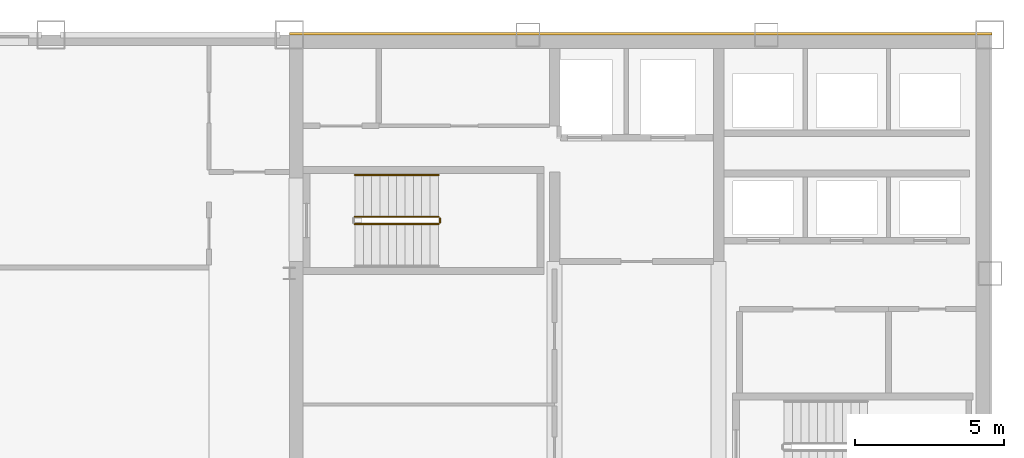
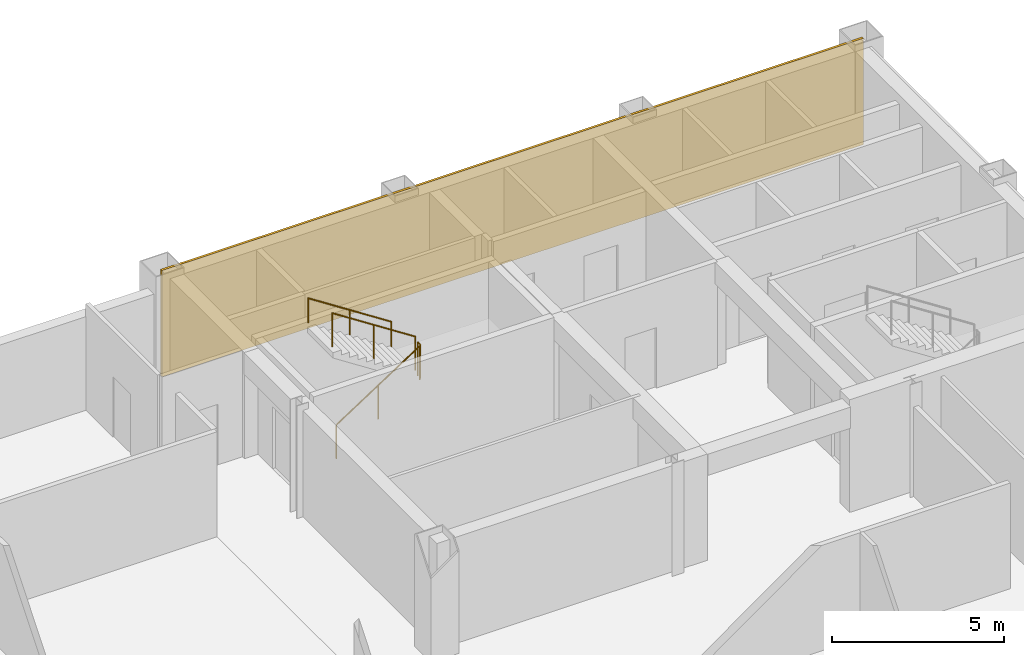
# One storey, part 10 of 10: 4 railings, 1 covering.
"""IFC4 building model written with IfcOpenShell, lengths in metres."""

from ifc_helpers import new_model, si_unit, direction, frame, origin, origin_2d, place, context, subcontext, project, spatial, rectangle, circle, extrude, material, layer, layer_set, type_object, element, save


model = new_model("IFC4")

# Units and contexts
model_context = context("Model", 3, precision=1e-05, world=origin(), true_north=direction((0.0, 1.0)))
body_context = subcontext(model_context, "Body", "Model", "MODEL_VIEW")
ifc_project = project(units=[si_unit("LENGTHUNIT", "METRE"), si_unit("AREAUNIT", "SQUARE_METRE"), si_unit("VOLUMEUNIT", "CUBIC_METRE"), si_unit("PLANEANGLEUNIT", "RADIAN"), si_unit("MASSUNIT", "GRAM", prefix="KILO")], contexts=[model_context])

# Site, building, storey
site_placement = place(None, origin())
site = spatial("IfcSite", under=ifc_project, at=site_placement, CompositionType="ELEMENT")
building_placement = place(site_placement, origin())
building = spatial("IfcBuilding", under=site, at=building_placement, Name="Qianrong Seaharbour Tower", CompositionType="ELEMENT")
storey_placement = place(building_placement, frame((0.0, 0.0, 245.800048828125)))
storey = spatial("IfcBuildingStorey", under=building, at=storey_placement, Name="L59", CompositionType="ELEMENT", Elevation=245.800048828125)

# Covering
ifc_material_1 = material(Name="Unitised red brick cladding on Precast concrete C45/55", Category="masonry")
ifc_layer = layer(ifc_material_1, 0.080078125)
ifc_layer_set = layer_set([ifc_layer], Name="Unitised red brick cladding on Precast concrete C45/55")
covering_type = type_object("IfcCoveringType", Name="COV-CLAD-RED-BRICK-80", PredefinedType="CLADDING", material=ifc_layer_set)
covering_placement = place(storey_placement, frame((52.2900390625, 52.0400390625, 0.0), z_axis=(0.0, 0.0, 1.0), x_axis=(1.0, 0.0, 0.0)))
element("IfcCovering", 1, at=covering_placement, inside=storey, type_object=covering_type, Name="L59 North Core Brick Veneer Cladding", PredefinedType="CLADDING", context=body_context, shape_type="SweptSolid", body=[
    extrude(rectangle(XDim=23.580078125, YDim=0.080078125, at=origin_2d()), origin(), (0.0, 0.0, 1.0), 3.77490234375),
])

# Railings
ifc_material_2 = material(Name="Galvanized painted steel SN400B stair guard", Category="steel")
railing_type_1 = type_object("IfcRailingType", Name="RAIL-STAIR-GUARD-1220", PredefinedType="GUARDRAIL", material=ifc_material_2)
railing_1_placement = place(storey_placement, frame((42.699951171875, 45.64990234375, 0.181884765625)))
element("IfcRailing", 2, at=railing_1_placement, inside=storey, type_object=railing_type_1, Name="L59 ST-1 stair guard 1", PredefinedType="GUARDRAIL", context=body_context, shape_type="SweptSolid", body=[
    extrude(circle(Radius=0.02392578125, at=origin_2d()), frame((0.0, 0.0, 1.19580078125), z_axis=(0.838705829183, 0.0, 0.544584733623), x_axis=(0.0, 1.0, 0.0)), (0.0, 0.0, 1.0), 3.338623046875),
    extrude(circle(Radius=0.02099609375, at=origin_2d()), origin(), (0.0, 0.0, 1.0), 1.171875),
    extrude(circle(Radius=0.02099609375, at=origin_2d()), frame((1.39990234375, 0.0, 0.9091796875)), (0.0, 0.0, 1.0), 1.171875),
    extrude(circle(Radius=0.02099609375, at=origin_2d()), frame((2.800048828125, 0.0, 1.818115234375)), (0.0, 0.0, 1.0), 1.171875),
])
railing_2_placement = place(storey_placement, frame((45.550048828125, 45.699951171875, 2.0)))
element("IfcRailing", 3, at=railing_2_placement, inside=storey, type_object=railing_type_1, Name="L59 ST-1 stair guard 2", PredefinedType="GUARDRAIL", context=body_context, shape_type="SweptSolid", body=[
    extrude(circle(Radius=0.02392578125, at=origin_2d()), frame((0.0, 0.0, 1.19580078125), z_axis=(0.0, 1.0, 0.0), x_axis=(-1.0, 0.0, 0.0)), (0.0, 0.0, 1.0), 0.150146484375),
    extrude(circle(Radius=0.02099609375, at=origin_2d()), origin(), (0.0, 0.0, 1.0), 1.171875),
    extrude(circle(Radius=0.02099609375, at=origin_2d()), frame((0.0, 0.150146484375, 0.0)), (0.0, 0.0, 1.0), 1.171875),
])
railing_3_placement = place(storey_placement, frame((45.5, 45.89990234375, 2.181884765625)))
element("IfcRailing", 4, at=railing_3_placement, inside=storey, type_object=railing_type_1, Name="L59 ST-1 stair guard 3", PredefinedType="GUARDRAIL", context=body_context, shape_type="SweptSolid", body=[
    extrude(circle(Radius=0.02392578125, at=origin_2d()), frame((0.0, 0.0, 1.19580078125), z_axis=(-0.838705829183, 0.0, 0.544584733623), x_axis=(0.0, -1.0, 0.0)), (0.0, 0.0, 1.0), 3.338623046875),
    extrude(circle(Radius=0.02099609375, at=origin_2d()), origin(), (0.0, 0.0, 1.0), 1.171875),
    extrude(circle(Radius=0.02099609375, at=origin_2d()), frame((-1.39990234375, 0.0, 0.9091796875)), (0.0, 0.0, 1.0), 1.171875),
    extrude(circle(Radius=0.02099609375, at=origin_2d()), frame((-2.800048828125, 0.0, 1.818115234375)), (0.0, 0.0, 1.0), 1.171875),
])
ifc_material_3 = material(Name="Stainless steel SUS316L continuous handrail", Category="steel")
railing_type_2 = type_object("IfcRailingType", Name="RAIL-STAIR-HANDRAIL-900", PredefinedType="HANDRAIL", material=ifc_material_3)
railing_4_placement = place(storey_placement, frame((45.5, 47.300048828125, 2.181884765625)))
element("IfcRailing", 5, at=railing_4_placement, inside=storey, type_object=railing_type_2, Name="L59 ST-1 stair handrail 2", PredefinedType="HANDRAIL", context=body_context, shape_type="SweptSolid", body=[
    extrude(circle(Radius=0.02392578125, at=origin_2d()), frame((0.0, 0.0, 0.8759765625), z_axis=(-0.838705829183, 0.0, 0.544584733623), x_axis=(0.0, -1.0, 0.0)), (0.0, 0.0, 1.0), 3.338623046875),
    extrude(circle(Radius=0.02099609375, at=origin_2d()), origin(), (0.0, 0.0, 1.0), 0.851806640625),
    extrude(circle(Radius=0.02099609375, at=origin_2d()), frame((-1.39990234375, 0.0, 0.9091796875)), (0.0, 0.0, 1.0), 0.851806640625),
    extrude(circle(Radius=0.02099609375, at=origin_2d()), frame((-2.800048828125, 0.0, 1.818115234375)), (0.0, 0.0, 1.0), 0.851806640625),
])

save(model, "model.ifc")
